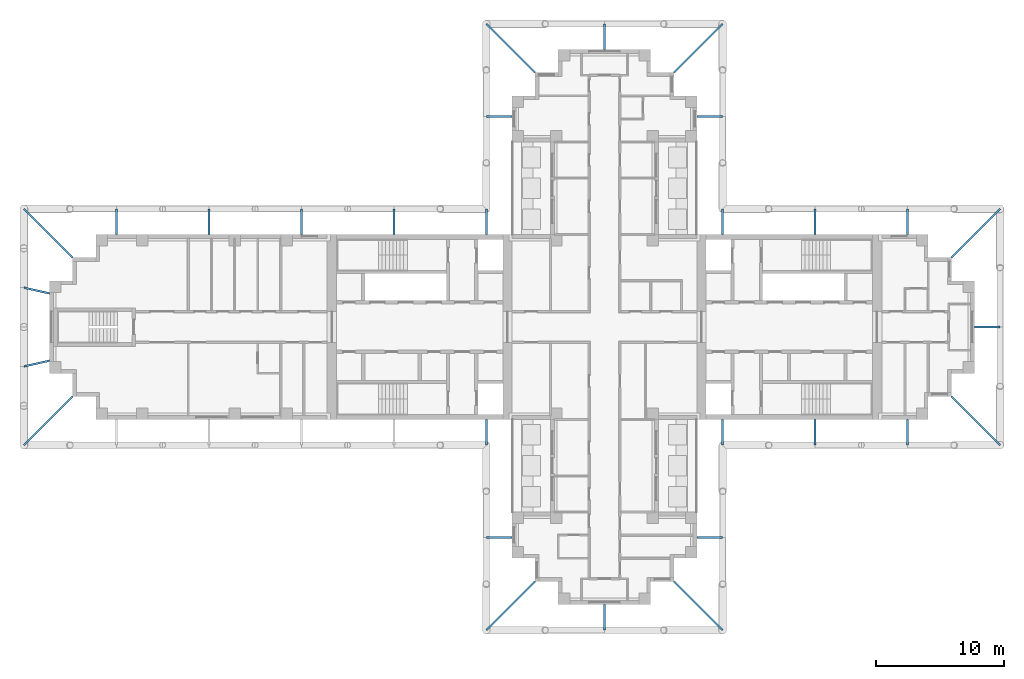
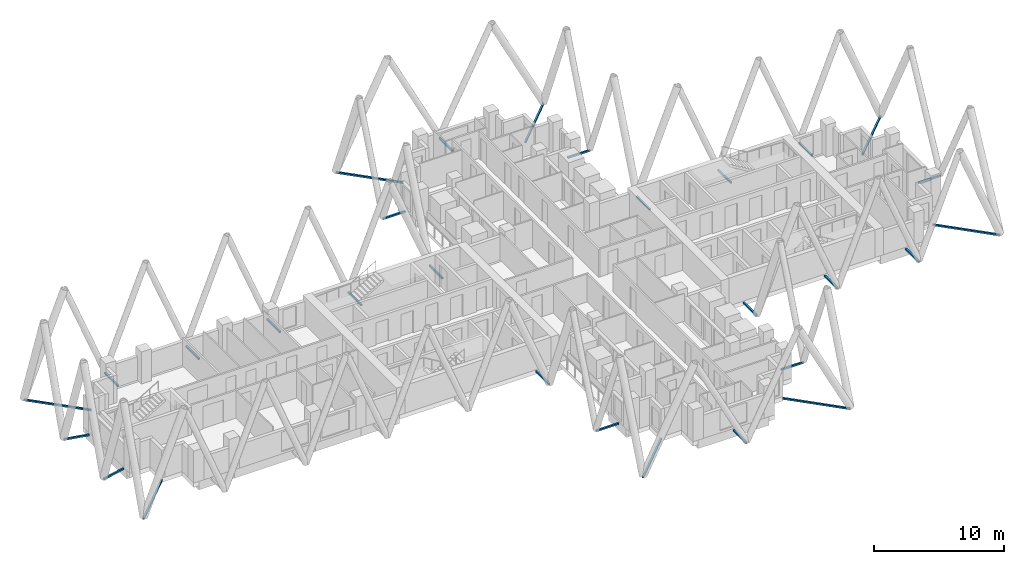
# One storey, part 10 of 12: 29 discrete accessories.
"""IFC4 building model written with IfcOpenShell, lengths in metres."""

from ifc_helpers import new_model, si_unit, direction, frame, origin, origin_2d, place, context, subcontext, project, spatial, hollow_rectangle, extrude, material, element, save


model = new_model("IFC4")

# Units and contexts
model_context = context("Model", 3, precision=1e-05, world=origin(), true_north=direction((0.0, 1.0)))
body_context = subcontext(model_context, "Body", "Model", "MODEL_VIEW")
ifc_project = project(units=[si_unit("LENGTHUNIT", "METRE"), si_unit("AREAUNIT", "SQUARE_METRE"), si_unit("VOLUMEUNIT", "CUBIC_METRE"), si_unit("PLANEANGLEUNIT", "RADIAN"), si_unit("MASSUNIT", "GRAM", prefix="KILO")], contexts=[model_context])

# Site, building, storey
site_placement = place(None, origin())
site = spatial("IfcSite", under=ifc_project, at=site_placement, CompositionType="ELEMENT")
building_placement = place(site_placement, origin())
building = spatial("IfcBuilding", under=site, at=building_placement, Name="Fustian Cross Tower", CompositionType="ELEMENT")
storey_placement = place(building_placement, frame((0.0, 0.0, 179.699951171875)))
storey = spatial("IfcBuildingStorey", under=building, at=storey_placement, Name="L56", CompositionType="ELEMENT", Elevation=179.699951171875)

# Discrete accessories
ifc_material = material(Name="Steel S355", Category="steel")
discrete_accessory_1_placement = place(storey_placement, frame((30.800048828125, 0.0, -0.14990234375), z_axis=(-1.0, 0.0, 0.0), x_axis=(0.0, -1.0, 0.0)))
element("IfcDiscreteAccessory", 1, at=discrete_accessory_1_placement, inside=storey, material=ifc_material, Name="Diagrid node bracket L56-01", PredefinedType="BRACKET", context=body_context, shape_type="SweptSolid", body=[
    extrude(hollow_rectangle(XDim=0.14990234375, YDim=0.14990234375, WallThickness=0.010009765625, at=origin_2d()), origin(), (0.0, 0.0, 1.0), 2.0),
])
discrete_accessory_2_placement = place(storey_placement, frame((30.800048828125, 9.199951171875, -0.14990234375), z_axis=(-0.707106781187, -0.707106781187, 0.0), x_axis=(0.707106781187, -0.707106781187, 0.0)))
element("IfcDiscreteAccessory", 2, at=discrete_accessory_2_placement, inside=storey, material=ifc_material, Name="Diagrid node bracket L56-02", PredefinedType="BRACKET", context=body_context, shape_type="SweptSolid", body=[
    extrude(hollow_rectangle(XDim=0.14990234375, YDim=0.14990234375, WallThickness=0.010009765625, at=origin_2d()), origin(), (0.0, 0.0, 1.0), 5.3740234375),
])
for number, where, z_axis, x_axis, name in (
    (3, (23.60009765625, 9.199951171875, -0.14990234375), (0.0, -1.0, 0.0), (1.0, 0.0, 0.0), "Diagrid node bracket L56-03"),
    (4, (16.39990234375, 9.199951171875, -0.14990234375), (0.0, -1.0, 0.0), (1.0, 0.0, 0.0), "Diagrid node bracket L56-04"),
    (5, (9.199951171875, 9.199951171875, -0.14990234375), (0.0, -1.0, 0.0), (1.0, 0.0, 0.0), "Diagrid node bracket L56-05"),
    (6, (9.199951171875, 16.39990234375, -0.14990234375), (-1.0, 0.0, 0.0), (0.0, -1.0, 0.0), "Diagrid node bracket L56-06"),
):
    element("IfcDiscreteAccessory", number, at=place(storey_placement, frame(where, z_axis=z_axis, x_axis=x_axis)), inside=storey, material=ifc_material, Name=name, PredefinedType="BRACKET", context=body_context, shape_type="SweptSolid", body=[
        extrude(hollow_rectangle(XDim=0.14990234375, YDim=0.14990234375, WallThickness=0.010009765625, at=origin_2d()), origin(), (0.0, 0.0, 1.0), 2.0),
    ])
discrete_accessory_3_placement = place(storey_placement, frame((9.199951171875, 23.60009765625, -0.14990234375), z_axis=(-0.707106781187, -0.707106781187, 0.0), x_axis=(0.707106781187, -0.707106781187, 0.0)))
element("IfcDiscreteAccessory", 7, at=discrete_accessory_3_placement, inside=storey, material=ifc_material, Name="Diagrid node bracket L56-07", PredefinedType="BRACKET", context=body_context, shape_type="SweptSolid", body=[
    extrude(hollow_rectangle(XDim=0.14990234375, YDim=0.14990234375, WallThickness=0.010009765625, at=origin_2d()), origin(), (0.0, 0.0, 1.0), 5.3740234375),
])
discrete_accessory_4_placement = place(storey_placement, frame((0.0, 23.60009765625, -0.14990234375), z_axis=(0.0, -1.0, 0.0), x_axis=(1.0, 0.0, 0.0)))
element("IfcDiscreteAccessory", 8, at=discrete_accessory_4_placement, inside=storey, material=ifc_material, Name="Diagrid node bracket L56-08", PredefinedType="BRACKET", context=body_context, shape_type="SweptSolid", body=[
    extrude(hollow_rectangle(XDim=0.14990234375, YDim=0.14990234375, WallThickness=0.010009765625, at=origin_2d()), origin(), (0.0, 0.0, 1.0), 2.0),
])
discrete_accessory_5_placement = place(storey_placement, frame((-9.199951171875, 23.60009765625, -0.14990234375), z_axis=(0.707106781187, -0.707106781187, 0.0), x_axis=(0.707106781187, 0.707106781187, 0.0)))
element("IfcDiscreteAccessory", 9, at=discrete_accessory_5_placement, inside=storey, material=ifc_material, Name="Diagrid node bracket L56-09", PredefinedType="BRACKET", context=body_context, shape_type="SweptSolid", body=[
    extrude(hollow_rectangle(XDim=0.14990234375, YDim=0.14990234375, WallThickness=0.010009765625, at=origin_2d()), origin(), (0.0, 0.0, 1.0), 5.3740234375),
])
for number, where, z_axis, x_axis, name in (
    (10, (-9.199951171875, 16.39990234375, -0.14990234375), (1.0, 0.0, 0.0), (0.0, 1.0, 0.0), "Diagrid node bracket L56-10"),
    (11, (-9.199951171875, 9.199951171875, -0.14990234375), (0.0, -1.0, 0.0), (1.0, 0.0, 0.0), "Diagrid node bracket L56-11"),
    (12, (-16.39990234375, 9.199951171875, -0.14990234375), (0.0, -1.0, 0.0), (1.0, 0.0, 0.0), "Diagrid node bracket L56-12"),
    (13, (-23.60009765625, 9.199951171875, -0.14990234375), (0.0, -1.0, 0.0), (1.0, 0.0, 0.0), "Diagrid node bracket L56-13"),
    (14, (-30.800048828125, 9.199951171875, -0.14990234375), (0.0, -1.0, 0.0), (1.0, 0.0, 0.0), "Diagrid node bracket L56-14"),
    (15, (-38.0, 9.199951171875, -0.14990234375), (0.0, -1.0, 0.0), (1.0, 0.0, 0.0), "Diagrid node bracket L56-15"),
):
    element("IfcDiscreteAccessory", number, at=place(storey_placement, frame(where, z_axis=z_axis, x_axis=x_axis)), inside=storey, material=ifc_material, Name=name, PredefinedType="BRACKET", context=body_context, shape_type="SweptSolid", body=[
        extrude(hollow_rectangle(XDim=0.14990234375, YDim=0.14990234375, WallThickness=0.010009765625, at=origin_2d()), origin(), (0.0, 0.0, 1.0), 2.0),
    ])
discrete_accessory_6_placement = place(storey_placement, frame((-45.199951171875, 9.199951171875, -0.14990234375), z_axis=(0.707106781187, -0.707106781187, 0.0), x_axis=(0.707106781187, 0.707106781187, 0.0)))
element("IfcDiscreteAccessory", 16, at=discrete_accessory_6_placement, inside=storey, material=ifc_material, Name="Diagrid node bracket L56-16", PredefinedType="BRACKET", context=body_context, shape_type="SweptSolid", body=[
    extrude(hollow_rectangle(XDim=0.14990234375, YDim=0.14990234375, WallThickness=0.010009765625, at=origin_2d()), origin(), (0.0, 0.0, 1.0), 5.3740234375),
])
for number, where, z_axis, x_axis, name in (
    (17, (-45.199951171875, 3.066650390625, -0.14990234375), (0.97561485681, -0.21948952406, 0.0), (0.21948952406, 0.97561485681, 0.0), "Diagrid node bracket L56-17"),
    (18, (-45.199951171875, -3.066650390625, -0.14990234375), (0.97561485681, 0.21948952406, 0.0), (-0.21948952406, 0.97561485681, 0.0), "Diagrid node bracket L56-18"),
):
    element("IfcDiscreteAccessory", number, at=place(storey_placement, frame(where, z_axis=z_axis, x_axis=x_axis)), inside=storey, material=ifc_material, Name=name, PredefinedType="BRACKET", context=body_context, shape_type="SweptSolid", body=[
        extrude(hollow_rectangle(XDim=0.14990234375, YDim=0.14990234375, WallThickness=0.010009765625, at=origin_2d()), origin(), (0.0, 0.0, 1.0), 2.050048828125),
    ])
discrete_accessory_7_placement = place(storey_placement, frame((-45.199951171875, -9.199951171875, -0.14990234375), z_axis=(0.707106781187, 0.707106781187, 0.0), x_axis=(-0.707106781187, 0.707106781187, 0.0)))
element("IfcDiscreteAccessory", 19, at=discrete_accessory_7_placement, inside=storey, material=ifc_material, Name="Diagrid node bracket L56-19", PredefinedType="BRACKET", context=body_context, shape_type="SweptSolid", body=[
    extrude(hollow_rectangle(XDim=0.14990234375, YDim=0.14990234375, WallThickness=0.010009765625, at=origin_2d()), origin(), (0.0, 0.0, 1.0), 5.3740234375),
])
for number, where, z_axis, x_axis, name in (
    (20, (-9.199951171875, -9.199951171875, -0.14990234375), (0.0, 1.0, 0.0), (-1.0, 0.0, 0.0), "Diagrid node bracket L56-24"),
    (21, (-9.199951171875, -16.39990234375, -0.14990234375), (1.0, 0.0, 0.0), (0.0, 1.0, 0.0), "Diagrid node bracket L56-25"),
):
    element("IfcDiscreteAccessory", number, at=place(storey_placement, frame(where, z_axis=z_axis, x_axis=x_axis)), inside=storey, material=ifc_material, Name=name, PredefinedType="BRACKET", context=body_context, shape_type="SweptSolid", body=[
        extrude(hollow_rectangle(XDim=0.14990234375, YDim=0.14990234375, WallThickness=0.010009765625, at=origin_2d()), origin(), (0.0, 0.0, 1.0), 2.0),
    ])
discrete_accessory_8_placement = place(storey_placement, frame((-9.199951171875, -23.60009765625, -0.14990234375), z_axis=(0.707106781187, 0.707106781187, 0.0), x_axis=(-0.707106781187, 0.707106781187, 0.0)))
element("IfcDiscreteAccessory", 22, at=discrete_accessory_8_placement, inside=storey, material=ifc_material, Name="Diagrid node bracket L56-26", PredefinedType="BRACKET", context=body_context, shape_type="SweptSolid", body=[
    extrude(hollow_rectangle(XDim=0.14990234375, YDim=0.14990234375, WallThickness=0.010009765625, at=origin_2d()), origin(), (0.0, 0.0, 1.0), 5.3740234375),
])
discrete_accessory_9_placement = place(storey_placement, frame((0.0, -23.60009765625, -0.14990234375), z_axis=(0.0, 1.0, 0.0), x_axis=(-1.0, 0.0, 0.0)))
element("IfcDiscreteAccessory", 23, at=discrete_accessory_9_placement, inside=storey, material=ifc_material, Name="Diagrid node bracket L56-27", PredefinedType="BRACKET", context=body_context, shape_type="SweptSolid", body=[
    extrude(hollow_rectangle(XDim=0.14990234375, YDim=0.14990234375, WallThickness=0.010009765625, at=origin_2d()), origin(), (0.0, 0.0, 1.0), 2.0),
])
discrete_accessory_10_placement = place(storey_placement, frame((9.199951171875, -23.60009765625, -0.14990234375), z_axis=(-0.707106781187, 0.707106781187, 0.0), x_axis=(-0.707106781187, -0.707106781187, 0.0)))
element("IfcDiscreteAccessory", 24, at=discrete_accessory_10_placement, inside=storey, material=ifc_material, Name="Diagrid node bracket L56-28", PredefinedType="BRACKET", context=body_context, shape_type="SweptSolid", body=[
    extrude(hollow_rectangle(XDim=0.14990234375, YDim=0.14990234375, WallThickness=0.010009765625, at=origin_2d()), origin(), (0.0, 0.0, 1.0), 5.3740234375),
])
for number, where, z_axis, x_axis, name in (
    (25, (9.199951171875, -16.39990234375, -0.14990234375), (-1.0, 0.0, 0.0), (0.0, -1.0, 0.0), "Diagrid node bracket L56-29"),
    (26, (9.199951171875, -9.199951171875, -0.14990234375), (0.0, 1.0, 0.0), (-1.0, 0.0, 0.0), "Diagrid node bracket L56-30"),
    (27, (16.39990234375, -9.199951171875, -0.14990234375), (0.0, 1.0, 0.0), (-1.0, 0.0, 0.0), "Diagrid node bracket L56-31"),
    (28, (23.60009765625, -9.199951171875, -0.14990234375), (0.0, 1.0, 0.0), (-1.0, 0.0, 0.0), "Diagrid node bracket L56-32"),
):
    element("IfcDiscreteAccessory", number, at=place(storey_placement, frame(where, z_axis=z_axis, x_axis=x_axis)), inside=storey, material=ifc_material, Name=name, PredefinedType="BRACKET", context=body_context, shape_type="SweptSolid", body=[
        extrude(hollow_rectangle(XDim=0.14990234375, YDim=0.14990234375, WallThickness=0.010009765625, at=origin_2d()), origin(), (0.0, 0.0, 1.0), 2.0),
    ])
discrete_accessory_11_placement = place(storey_placement, frame((30.800048828125, -9.199951171875, -0.14990234375), z_axis=(-0.707106781187, 0.707106781187, 0.0), x_axis=(-0.707106781187, -0.707106781187, 0.0)))
element("IfcDiscreteAccessory", 29, at=discrete_accessory_11_placement, inside=storey, material=ifc_material, Name="Diagrid node bracket L56-33", PredefinedType="BRACKET", context=body_context, shape_type="SweptSolid", body=[
    extrude(hollow_rectangle(XDim=0.14990234375, YDim=0.14990234375, WallThickness=0.010009765625, at=origin_2d()), origin(), (0.0, 0.0, 1.0), 5.3740234375),
])

save(model, "model.ifc")
